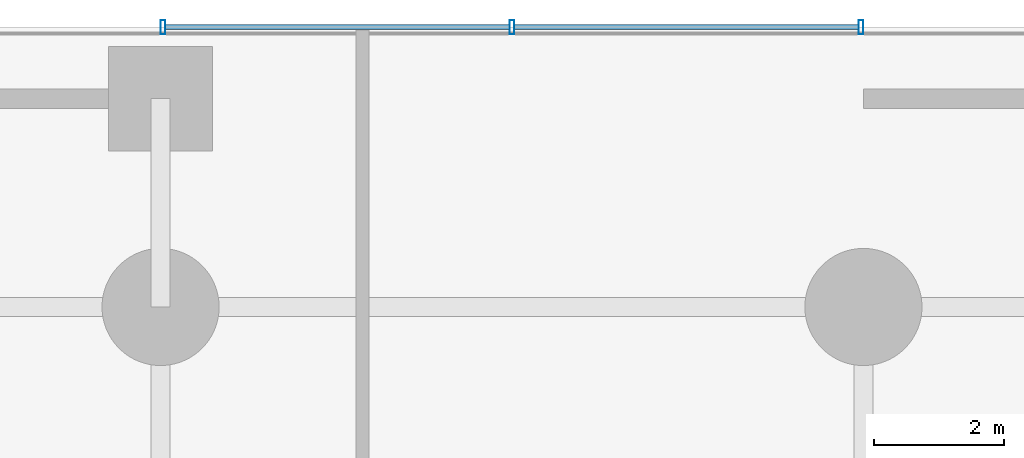
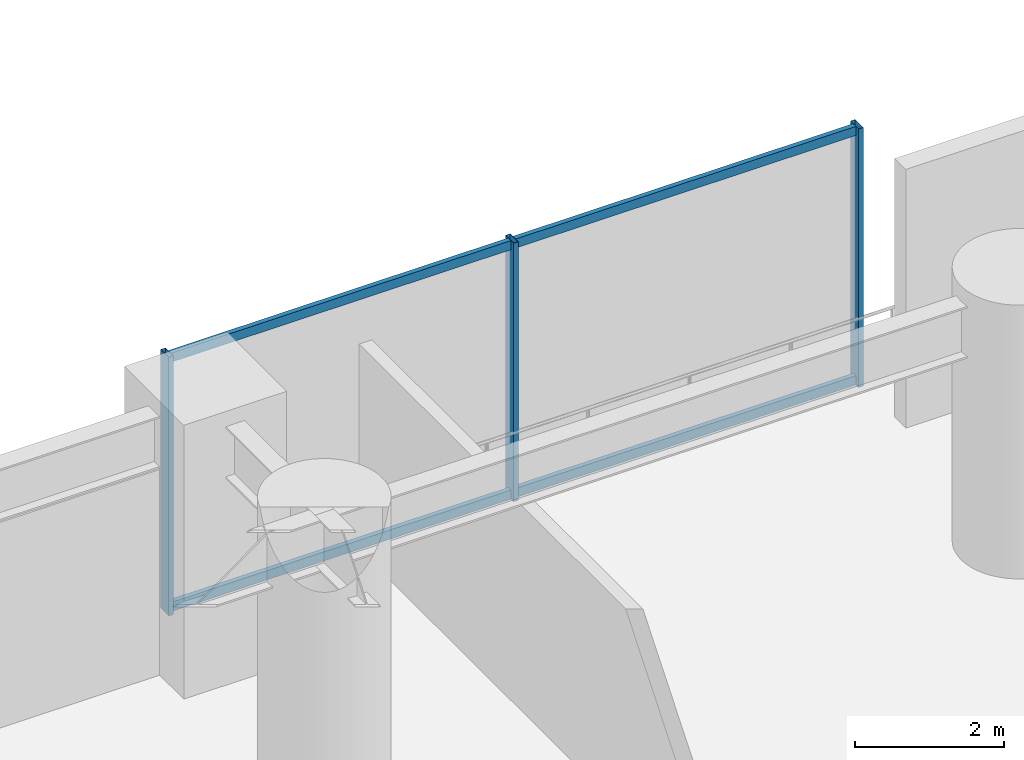
# One storey, part 17 of 36: 7 members, 1 element without a shape of its own.
"""IFC4 building model written with IfcOpenShell, lengths in metres."""

from ifc_helpers import new_model, si_unit, direction, frame, origin, origin_2d, place, context, subcontext, project, spatial, hollow_rectangle, extrude, material, layer, layer_set, material_profile, profile_set, type_object, element, aggregate, save


model = new_model("IFC4")

# Units and contexts
model_context = context("Model", 3, precision=1e-05, world=origin(), true_north=direction((0.0, 1.0)))
body_context = subcontext(model_context, "Body", "Model", "MODEL_VIEW")
ifc_project = project(units=[si_unit("LENGTHUNIT", "METRE"), si_unit("AREAUNIT", "SQUARE_METRE"), si_unit("VOLUMEUNIT", "CUBIC_METRE"), si_unit("PLANEANGLEUNIT", "RADIAN"), si_unit("MASSUNIT", "GRAM", prefix="KILO")], contexts=[model_context])

# Site, building, storey
site_placement = place(None, origin())
site = spatial("IfcSite", under=ifc_project, at=site_placement, CompositionType="ELEMENT")
building_placement = place(site_placement, origin())
building = spatial("IfcBuilding", under=site, at=building_placement, Name="Surkhivell Harbour Commons", CompositionType="ELEMENT")
storey_placement = place(building_placement, frame((0.0, 0.0, 9.0)))
storey = spatial("IfcBuildingStorey", under=building, at=storey_placement, Name="L02", CompositionType="ELEMENT", Elevation=9.0)

# Curtain wall, members
ifc_material_1 = material(Name="Anodised pale-metal aluminium and insulated glazing", Category="aluminium")
ifc_layer = layer(ifc_material_1, 0.239990234375)
ifc_layer_set = layer_set([ifc_layer], Name="Anodised pale-metal aluminium and insulated glazing")
curtain_wall_type = type_object("IfcCurtainWallType", Name="CW-SYS-POD", PredefinedType="NOTDEFINED", material=ifc_layer_set)
curtain_wall_placement = place(storey_placement, origin())
curtain_wall = element("IfcCurtainWall", 1, at=curtain_wall_placement, inside=storey, type_object=curtain_wall_type, Name="L02 Curtain Wall CW-L02-N6", PredefinedType="NOTDEFINED")
ifc_material_2 = material(Name="Anodised pale-metal aluminium alloy 6063-T6", Category="aluminium")
ifc_material_profile_1 = material_profile(ifc_material_2, hollow_rectangle(XDim=0.074951171875, YDim=0.219970703125, WallThickness=0.00390625, at=origin_2d()), Name="ALU-MULL-75x220")
ifc_profile_set_1 = profile_set([ifc_material_profile_1], Name="Anodised pale-metal aluminium alloy 6063-T6")
member_type_1 = type_object("IfcMemberType", Name="CWM-220", PredefinedType="MULLION", material=ifc_profile_set_1)
member_1_placement = place(storey_placement, frame((10.83740234375, 25.89990234375, 0.0), z_axis=(0.0, 0.0, 1.0), x_axis=(1.0, 0.0, 0.0)))
member_1 = element("IfcMember", 2, at=member_1_placement, type_object=member_type_1, Name="CW-POD mullion 1", PredefinedType="MULLION", context=body_context, shape_type="SweptSolid", body=[
    extrude(hollow_rectangle(XDim=0.074951171875, YDim=0.219970703125, WallThickness=0.00390625, at=origin_2d()), origin(), (0.0, 0.0, 1.0), 4.25),
])
member_2_placement = place(storey_placement, frame((16.199951171875, 25.89990234375, 0.0), z_axis=(0.0, 0.0, 1.0), x_axis=(1.0, 0.0, 0.0)))
member_2 = element("IfcMember", 3, at=member_2_placement, type_object=member_type_1, Name="CW-POD mullion 2", PredefinedType="MULLION", context=body_context, shape_type="SweptSolid", body=[
    extrude(hollow_rectangle(XDim=0.074951171875, YDim=0.219970703125, WallThickness=0.00390625, at=origin_2d()), origin(), (0.0, 0.0, 1.0), 4.25),
])
member_3_placement = place(storey_placement, frame((21.5625, 25.89990234375, 0.0), z_axis=(0.0, 0.0, 1.0), x_axis=(1.0, 0.0, 0.0)))
member_3 = element("IfcMember", 4, at=member_3_placement, type_object=member_type_1, Name="CW-POD mullion 3", PredefinedType="MULLION", context=body_context, shape_type="SweptSolid", body=[
    extrude(hollow_rectangle(XDim=0.074951171875, YDim=0.219970703125, WallThickness=0.00390625, at=origin_2d()), origin(), (0.0, 0.0, 1.0), 4.25),
])
ifc_material_profile_2 = material_profile(ifc_material_2, hollow_rectangle(XDim=0.074951171875, YDim=0.14990234375, WallThickness=0.00341796875, at=origin_2d()), Name="ALU-TRAN-75x150")
ifc_profile_set_2 = profile_set([ifc_material_profile_2], Name="Anodised pale-metal aluminium alloy 6063-T6")
member_type_2 = type_object("IfcMemberType", Name="CWT-150", PredefinedType="USERDEFINED", material=ifc_profile_set_2)
member_4_placement = place(storey_placement, frame((10.875, 25.89990234375, 0.074951171875), z_axis=(1.0, 0.0, 0.0), x_axis=(0.0, 1.0, 0.0)))
member_4 = element("IfcMember", 5, at=member_4_placement, type_object=member_type_2, Name="CW-POD transom 1.1", ObjectType="TRANSOM", PredefinedType="USERDEFINED", context=body_context, shape_type="SweptSolid", body=[
    extrude(hollow_rectangle(XDim=0.074951171875, YDim=0.14990234375, WallThickness=0.00341796875, at=origin_2d()), origin(), (0.0, 0.0, 1.0), 5.28759765625),
])
member_5_placement = place(storey_placement, frame((10.875, 25.89990234375, 4.175048828125), z_axis=(1.0, 0.0, 0.0), x_axis=(0.0, 1.0, 0.0)))
member_5 = element("IfcMember", 6, at=member_5_placement, type_object=member_type_2, Name="CW-POD transom 1.2", ObjectType="TRANSOM", PredefinedType="USERDEFINED", context=body_context, shape_type="SweptSolid", body=[
    extrude(hollow_rectangle(XDim=0.074951171875, YDim=0.14990234375, WallThickness=0.00341796875, at=origin_2d()), origin(), (0.0, 0.0, 1.0), 5.28759765625),
])
member_6_placement = place(storey_placement, frame((16.237548828125, 25.89990234375, 0.074951171875), z_axis=(1.0, 0.0, 0.0), x_axis=(0.0, 1.0, 0.0)))
member_6 = element("IfcMember", 7, at=member_6_placement, type_object=member_type_2, Name="CW-POD transom 2.1", ObjectType="TRANSOM", PredefinedType="USERDEFINED", context=body_context, shape_type="SweptSolid", body=[
    extrude(hollow_rectangle(XDim=0.074951171875, YDim=0.14990234375, WallThickness=0.00341796875, at=origin_2d()), origin(), (0.0, 0.0, 1.0), 5.287353515625),
])
member_7_placement = place(storey_placement, frame((16.237548828125, 25.89990234375, 4.175048828125), z_axis=(1.0, 0.0, 0.0), x_axis=(0.0, 1.0, 0.0)))
member_7 = element("IfcMember", 8, at=member_7_placement, type_object=member_type_2, Name="CW-POD transom 2.2", ObjectType="TRANSOM", PredefinedType="USERDEFINED", context=body_context, shape_type="SweptSolid", body=[
    extrude(hollow_rectangle(XDim=0.074951171875, YDim=0.14990234375, WallThickness=0.00341796875, at=origin_2d()), origin(), (0.0, 0.0, 1.0), 5.287353515625),
])
aggregate(curtain_wall, [member_1, member_2, member_3, member_4, member_5, member_6, member_7])

save(model, "model.ifc")
